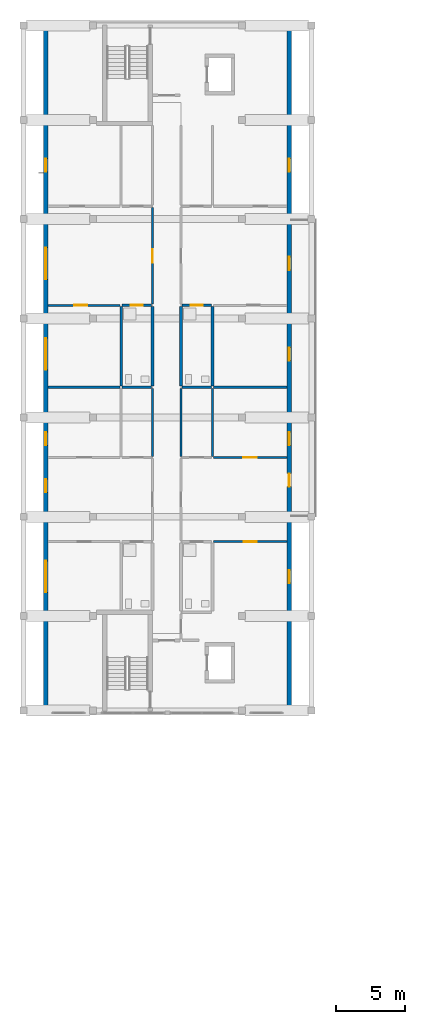
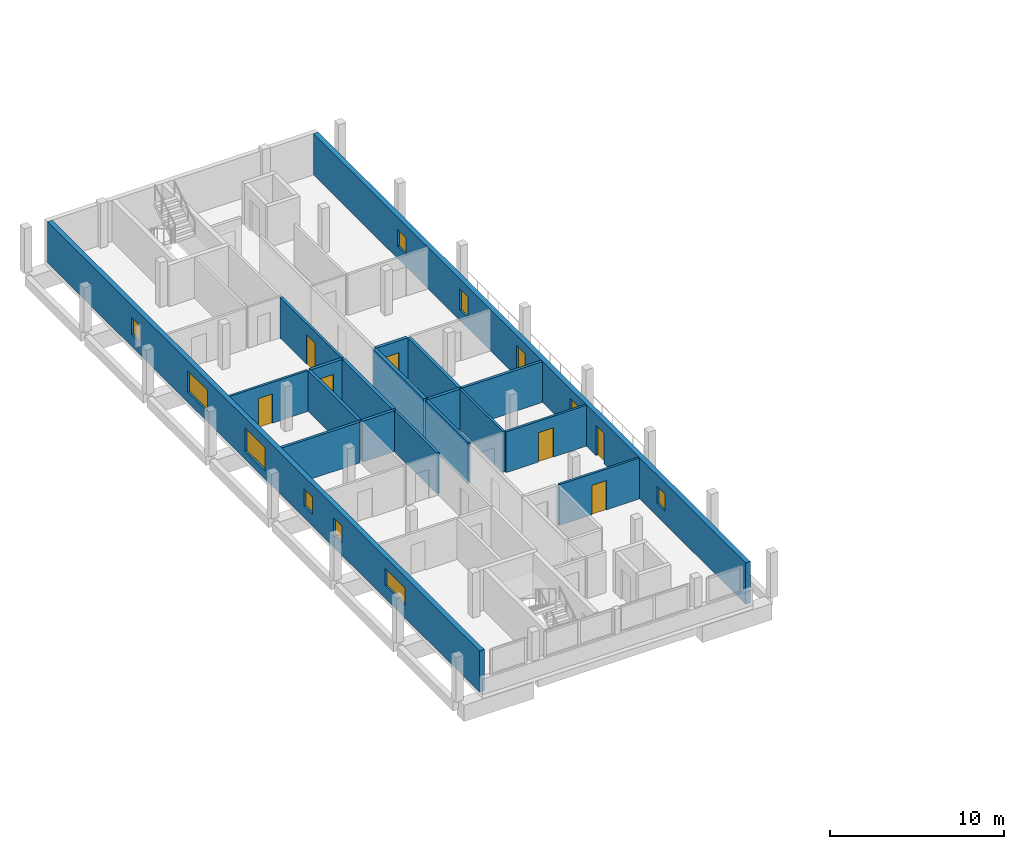
# One storey, part 13 of 29: 19 walls, 11 windows, 7 doors, 18 openings.
"""IFC4 building model written with IfcOpenShell, lengths in metres."""

from ifc_helpers import new_model, si_unit, derived_unit, direction, frame, frame_2d, origin, place, context, subcontext, project, spatial, rectangle, extrude, material, layer, layer_set, type_object, element, fill, save


model = new_model("IFC4")

# Units and contexts
model_context = context("Model", 3, precision=1e-05, world=origin(), true_north=direction((0.0, 1.0)))
body_context = subcontext(model_context, "Body", "Model", "MODEL_VIEW")
ifc_project = project(units=[si_unit("LENGTHUNIT", "METRE"), si_unit("AREAUNIT", "SQUARE_METRE"), si_unit("VOLUMEUNIT", "CUBIC_METRE"), si_unit("PLANEANGLEUNIT", "RADIAN"), si_unit("MASSUNIT", "GRAM", prefix="KILO"), derived_unit("THERMALTRANSMITTANCEUNIT", [(si_unit("MASSUNIT", "GRAM", prefix="KILO"), 1), (si_unit("TIMEUNIT", "SECOND"), -3), (si_unit("THERMODYNAMICTEMPERATUREUNIT", "KELVIN"), -1)])], contexts=[model_context])

# Site, building, storey
site_placement = place(None, origin())
site = spatial("IfcSite", under=ifc_project, at=site_placement, CompositionType="ELEMENT")
building_placement = place(site_placement, origin())
building = spatial("IfcBuilding", under=site, at=building_placement, Name="Ochrekiln Boulevard Commons", CompositionType="ELEMENT")
storey_placement = place(building_placement, frame((0.0, 0.0, 37.27490234375)))
storey = spatial("IfcBuildingStorey", under=building, at=storey_placement, Name="L11", CompositionType="ELEMENT", Elevation=37.27490234375)

# Wall, openings, windows
ifc_material_1 = material(Name="Desert ochre clinker brick masonry ASTM C216 Grade SW", Category="masonry")
ifc_layer_1 = layer(ifc_material_1, 0.320068359375)
ifc_layer_set_1 = layer_set([ifc_layer_1], Name="Desert ochre clinker brick masonry ASTM C216 Grade SW")
wall_type_1 = type_object("IfcWallType", Name="WL-EXT-OCHRE-320", PredefinedType="SOLIDWALL", material=ifc_layer_set_1)
wall_1_placement = place(storey_placement, frame((1.9599609375, 68.719970703125, 0.0), z_axis=(0.0, 0.0, 1.0), x_axis=(0.0, 1.0, 0.0)))
wall_1 = element("IfcWall", 1, at=wall_1_placement, inside=storey, type_object=wall_type_1, Name="Block A L11 W Exterior Wall", PredefinedType="SOLIDWALL", context=body_context, shape_type="SweptSolid", body=[
    extrude(rectangle(XDim=49.760009765625, YDim=0.320068359375, at=frame_2d((24.8798828125, 0.0))), origin(), (0.0, 0.0, 1.0), 2.900146484375),
])
opening_1_placement = place(wall_1_placement, frame((15.85498046875, 0.0, 0.85009765625)))
opening_1 = element("IfcOpeningElement", 2, at=opening_1_placement, cuts=wall_1, Name="Opening W-01", PredefinedType="OPENING", context=body_context, shape_type="SweptSolid", body=[
    extrude(rectangle(XDim=0.949951171875, YDim=1.199951171875, at=frame_2d((0.47509765625, 0.60009765625))), frame((0.0, 0.169921875, 0.0), z_axis=(0.0, -1.0, 0.0), x_axis=(1.0, 0.0, 0.0)), (0.0, 0.0, 1.0), 0.340087890625),
])
opening_2_placement = place(wall_1_placement, frame((8.5859375, 0.0, 0.89990234375)))
opening_2 = element("IfcOpeningElement", 3, at=opening_2_placement, cuts=wall_1, Name="Opening W-56", PredefinedType="OPENING", context=body_context, shape_type="SweptSolid", body=[
    extrude(rectangle(XDim=2.300048828125, YDim=1.199951171875, at=frame_2d((1.14990234375, 0.60009765625))), frame((0.0, 0.169921875, 0.0), z_axis=(0.0, -1.0, 0.0), x_axis=(1.0, 0.0, 0.0)), (0.0, 0.0, 1.0), 0.340087890625),
])
opening_3_placement = place(wall_1_placement, frame((19.264892578125, 0.0, 0.85009765625)))
opening_3 = element("IfcOpeningElement", 4, at=opening_3_placement, cuts=wall_1, Name="Opening W-01", PredefinedType="OPENING", context=body_context, shape_type="SweptSolid", body=[
    extrude(rectangle(XDim=0.949951171875, YDim=1.199951171875, at=frame_2d((0.47509765625, 0.60009765625))), frame((0.0, 0.169921875, 0.0), z_axis=(0.0, -1.0, 0.0), x_axis=(1.0, 0.0, 0.0)), (0.0, 0.0, 1.0), 0.340087890625),
])
opening_4_placement = place(wall_1_placement, frame((31.30908203125, 0.0, 0.715087890625)))
opening_4 = element("IfcOpeningElement", 5, at=opening_4_placement, cuts=wall_1, Name="Opening W-58", PredefinedType="OPENING", context=body_context, shape_type="SweptSolid", body=[
    extrude(rectangle(XDim=2.300048828125, YDim=1.5, at=frame_2d((1.14990234375, 0.75))), frame((0.0, 0.169921875, 0.0), z_axis=(0.0, -1.0, 0.0), x_axis=(1.0, 0.0, 0.0)), (0.0, 0.0, 1.0), 0.340087890625),
])
opening_5_placement = place(wall_1_placement, frame((24.736083984375, 0.0, 0.56494140625)))
opening_5 = element("IfcOpeningElement", 6, at=opening_5_placement, cuts=wall_1, Name="Opening W-59", PredefinedType="OPENING", context=body_context, shape_type="SweptSolid", body=[
    extrude(rectangle(XDim=2.300048828125, YDim=1.64990234375, at=frame_2d((1.14990234375, 0.824951171875))), frame((0.0, 0.169921875, 0.0), z_axis=(0.0, -1.0, 0.0), x_axis=(1.0, 0.0, 0.0)), (0.0, 0.0, 1.0), 0.340087890625),
])
opening_6_placement = place(wall_1_placement, frame((39.113037109375, 0.0, 0.85009765625)))
opening_6 = element("IfcOpeningElement", 7, at=opening_6_placement, cuts=wall_1, Name="Opening W-01", PredefinedType="OPENING", context=body_context, shape_type="SweptSolid", body=[
    extrude(rectangle(XDim=0.949951171875, YDim=1.199951171875, at=frame_2d((0.47509765625, 0.60009765625))), frame((0.0, 0.169921875, 0.0), z_axis=(0.0, -1.0, 0.0), x_axis=(1.0, 0.0, 0.0)), (0.0, 0.0, 1.0), 0.340087890625),
])
ifc_material_2 = material(Name="Thermally broken aluminium-clad oak frame", Category="aluminium")
window_type_1 = type_object("IfcWindowType", Name="WIN-EXT-01", PartitioningType="SINGLE_PANEL", PredefinedType="WINDOW", material=ifc_material_2)
window_1_placement = place(opening_1_placement, origin())
window_1 = element("IfcWindow", 8, at=window_1_placement, inside=storey, type_object=window_type_1, Name="Block A L11 Punched Masonry Window W-01", OverallHeight=1.199951171875, OverallWidth=0.949951171875, PartitioningType="SINGLE_PANEL", PredefinedType="WINDOW", context=body_context, shape_type="SweptSolid", body=[
    extrude(rectangle(XDim=0.949951171875, YDim=1.199951171875, at=frame_2d((0.47509765625, 0.60009765625))), frame((0.0, 0.030029296875, 0.0), z_axis=(0.0, -1.0, 0.0), x_axis=(1.0, 0.0, 0.0)), (0.0, 0.0, 1.0), 0.06005859375),
])
fill(opening_1, window_1)
window_2_placement = place(opening_3_placement, origin())
window_2 = element("IfcWindow", 9, at=window_2_placement, inside=storey, type_object=window_type_1, Name="Block A L11 Punched Masonry Window W-01", OverallHeight=1.199951171875, OverallWidth=0.949951171875, PartitioningType="SINGLE_PANEL", PredefinedType="WINDOW", context=body_context, shape_type="SweptSolid", body=[
    extrude(rectangle(XDim=0.949951171875, YDim=1.199951171875, at=frame_2d((0.47509765625, 0.60009765625))), frame((0.0, 0.030029296875, 0.0), z_axis=(0.0, -1.0, 0.0), x_axis=(1.0, 0.0, 0.0)), (0.0, 0.0, 1.0), 0.06005859375),
])
fill(opening_3, window_2)
window_3_placement = place(opening_6_placement, origin())
window_3 = element("IfcWindow", 10, at=window_3_placement, inside=storey, type_object=window_type_1, Name="Block A L11 Punched Masonry Window W-01", OverallHeight=1.199951171875, OverallWidth=0.949951171875, PartitioningType="SINGLE_PANEL", PredefinedType="WINDOW", context=body_context, shape_type="SweptSolid", body=[
    extrude(rectangle(XDim=0.949951171875, YDim=1.199951171875, at=frame_2d((0.47509765625, 0.60009765625))), frame((0.0, 0.030029296875, 0.0), z_axis=(0.0, -1.0, 0.0), x_axis=(1.0, 0.0, 0.0)), (0.0, 0.0, 1.0), 0.06005859375),
])
fill(opening_6, window_3)
window_type_2 = type_object("IfcWindowType", Name="WIN-EXT-56", PartitioningType="DOUBLE_PANEL_VERTICAL", PredefinedType="WINDOW", material=ifc_material_2)
window_4_placement = place(opening_2_placement, origin())
window_4 = element("IfcWindow", 11, at=window_4_placement, inside=storey, type_object=window_type_2, Name="Block A L11 Punched Masonry Window W-56", OverallHeight=1.199951171875, OverallWidth=2.300048828125, PartitioningType="DOUBLE_PANEL_VERTICAL", PredefinedType="WINDOW", context=body_context, shape_type="SweptSolid", body=[
    extrude(rectangle(XDim=2.300048828125, YDim=1.199951171875, at=frame_2d((1.14990234375, 0.60009765625))), frame((0.0, 0.030029296875, 0.0), z_axis=(0.0, -1.0, 0.0), x_axis=(1.0, 0.0, 0.0)), (0.0, 0.0, 1.0), 0.06005859375),
])
fill(opening_2, window_4)
window_type_3 = type_object("IfcWindowType", Name="WIN-EXT-58", PartitioningType="DOUBLE_PANEL_VERTICAL", PredefinedType="WINDOW", material=ifc_material_2)
window_5_placement = place(opening_4_placement, origin())
window_5 = element("IfcWindow", 12, at=window_5_placement, inside=storey, type_object=window_type_3, Name="Block A L11 Punched Masonry Window W-58", OverallHeight=1.5, OverallWidth=2.300048828125, PartitioningType="DOUBLE_PANEL_VERTICAL", PredefinedType="WINDOW", context=body_context, shape_type="SweptSolid", body=[
    extrude(rectangle(XDim=2.300048828125, YDim=1.5, at=frame_2d((1.14990234375, 0.75))), frame((0.0, 0.030029296875, 0.0), z_axis=(0.0, -1.0, 0.0), x_axis=(1.0, 0.0, 0.0)), (0.0, 0.0, 1.0), 0.06005859375),
])
fill(opening_4, window_5)
window_type_4 = type_object("IfcWindowType", Name="WIN-EXT-59", PartitioningType="DOUBLE_PANEL_VERTICAL", PredefinedType="WINDOW", material=ifc_material_2)
window_6_placement = place(opening_5_placement, origin())
window_6 = element("IfcWindow", 13, at=window_6_placement, inside=storey, type_object=window_type_4, Name="Block A L11 Punched Masonry Window W-59", OverallHeight=1.64990234375, OverallWidth=2.300048828125, PartitioningType="DOUBLE_PANEL_VERTICAL", PredefinedType="WINDOW", context=body_context, shape_type="SweptSolid", body=[
    extrude(rectangle(XDim=2.300048828125, YDim=1.64990234375, at=frame_2d((1.14990234375, 0.824951171875))), frame((0.0, 0.030029296875, 0.0), z_axis=(0.0, -1.0, 0.0), x_axis=(1.0, 0.0, 0.0)), (0.0, 0.0, 1.0), 0.06005859375),
])
fill(opening_5, window_6)

# Wall, openings, door, windows
wall_2_placement = place(storey_placement, frame((19.639892578125, 68.719970703125, 0.0), z_axis=(0.0, 0.0, 1.0), x_axis=(0.0, 1.0, 0.0)))
wall_2 = element("IfcWall", 14, at=wall_2_placement, inside=storey, type_object=wall_type_1, Name="Block A L11 E Exterior Wall", PredefinedType="SOLIDWALL", context=body_context, shape_type="SweptSolid", body=[
    extrude(rectangle(XDim=49.760009765625, YDim=0.320068359375, at=frame_2d((24.8798828125, 0.0))), origin(), (0.0, 0.0, 1.0), 2.900146484375),
])
opening_7_placement = place(wall_2_placement, frame((16.27001953125, 0.0, 0.0)))
opening_7 = element("IfcOpeningElement", 15, at=opening_7_placement, cuts=wall_2, Name="Opening D-L11-BL016", PredefinedType="OPENING", context=body_context, shape_type="SweptSolid", body=[
    extrude(rectangle(XDim=0.949951171875, YDim=2.14990234375, at=frame_2d((0.47509765625, 1.074951171875))), frame((0.0, 0.169921875, 0.0), z_axis=(0.0, -1.0, 0.0), x_axis=(1.0, 0.0, 0.0)), (0.0, 0.0, 1.0), 0.340087890625),
])
opening_8_placement = place(wall_2_placement, frame((9.260986328125, 0.0, 0.89990234375)))
opening_8 = element("IfcOpeningElement", 16, at=opening_8_placement, cuts=wall_2, Name="Opening W-01", PredefinedType="OPENING", context=body_context, shape_type="SweptSolid", body=[
    extrude(rectangle(XDim=0.949951171875, YDim=1.199951171875, at=frame_2d((0.47509765625, 0.60009765625))), frame((0.0, 0.169921875, 0.0), z_axis=(0.0, -1.0, 0.0), x_axis=(1.0, 0.0, 0.0)), (0.0, 0.0, 1.0), 0.340087890625),
])
opening_9_placement = place(wall_2_placement, frame((19.264892578125, 0.0, 0.864990234375)))
opening_9 = element("IfcOpeningElement", 17, at=opening_9_placement, cuts=wall_2, Name="Opening W-02", PredefinedType="OPENING", context=body_context, shape_type="SweptSolid", body=[
    extrude(rectangle(XDim=0.949951171875, YDim=1.35009765625, at=frame_2d((0.47509765625, 0.675048828125))), frame((0.0, 0.169921875, 0.0), z_axis=(0.0, -1.0, 0.0), x_axis=(1.0, 0.0, 0.0)), (0.0, 0.0, 1.0), 0.340087890625),
])
opening_10_placement = place(wall_2_placement, frame((31.98388671875, 0.0, 0.715087890625)))
opening_10 = element("IfcOpeningElement", 18, at=opening_10_placement, cuts=wall_2, Name="Opening W-03", PredefinedType="OPENING", context=body_context, shape_type="SweptSolid", body=[
    extrude(rectangle(XDim=0.949951171875, YDim=1.5, at=frame_2d((0.47509765625, 0.75))), frame((0.0, 0.169921875, 0.0), z_axis=(0.0, -1.0, 0.0), x_axis=(1.0, 0.0, 0.0)), (0.0, 0.0, 1.0), 0.340087890625),
])
opening_11_placement = place(wall_2_placement, frame((25.410888671875, 0.0, 0.56494140625)))
opening_11 = element("IfcOpeningElement", 19, at=opening_11_placement, cuts=wall_2, Name="Opening W-04", PredefinedType="OPENING", context=body_context, shape_type="SweptSolid", body=[
    extrude(rectangle(XDim=0.949951171875, YDim=1.64990234375, at=frame_2d((0.47509765625, 0.824951171875))), frame((0.0, 0.169921875, 0.0), z_axis=(0.0, -1.0, 0.0), x_axis=(1.0, 0.0, 0.0)), (0.0, 0.0, 1.0), 0.340087890625),
])
opening_12_placement = place(wall_2_placement, frame((39.113037109375, 0.0, 0.85009765625)))
opening_12 = element("IfcOpeningElement", 20, at=opening_12_placement, cuts=wall_2, Name="Opening W-01", PredefinedType="OPENING", context=body_context, shape_type="SweptSolid", body=[
    extrude(rectangle(XDim=0.949951171875, YDim=1.199951171875, at=frame_2d((0.47509765625, 0.60009765625))), frame((0.0, 0.169921875, 0.0), z_axis=(0.0, -1.0, 0.0), x_axis=(1.0, 0.0, 0.0)), (0.0, 0.0, 1.0), 0.340087890625),
])
door_type_1 = type_object("IfcDoorType", Name="DR-EXT-BAL-095", OperationType="NOTDEFINED", PredefinedType="DOOR", material=ifc_material_2)
door_1_placement = place(opening_7_placement, frame((0.949951171875, 0.0, 0.0), z_axis=(0.0, 0.0, 1.0), x_axis=(-1.0, 0.0, 0.0)))
door_1 = element("IfcDoor", 21, at=door_1_placement, inside=storey, type_object=door_type_1, Name="Block A L11 Glazed Balcony Patio Door", OperationType="SINGLE_SWING_LEFT", OverallHeight=2.14990234375, OverallWidth=0.949951171875, PredefinedType="DOOR", context=body_context, shape_type="SweptSolid", body=[
    extrude(rectangle(XDim=0.949951171875, YDim=2.14990234375, at=frame_2d((0.47509765625, 1.074951171875))), frame((0.0, 0.02490234375, 0.0), z_axis=(0.0, -1.0, 0.0), x_axis=(1.0, 0.0, 0.0)), (0.0, 0.0, 1.0), 0.050048828125),
])
fill(opening_7, door_1)
window_7_placement = place(opening_8_placement, origin())
window_7 = element("IfcWindow", 22, at=window_7_placement, inside=storey, type_object=window_type_1, Name="Block A L11 Punched Masonry Window W-01", OverallHeight=1.199951171875, OverallWidth=0.949951171875, PartitioningType="SINGLE_PANEL", PredefinedType="WINDOW", context=body_context, shape_type="SweptSolid", body=[
    extrude(rectangle(XDim=0.949951171875, YDim=1.199951171875, at=frame_2d((0.47509765625, 0.60009765625))), frame((0.0, 0.030029296875, 0.0), z_axis=(0.0, -1.0, 0.0), x_axis=(1.0, 0.0, 0.0)), (0.0, 0.0, 1.0), 0.06005859375),
])
fill(opening_8, window_7)
window_8_placement = place(opening_12_placement, origin())
window_8 = element("IfcWindow", 23, at=window_8_placement, inside=storey, type_object=window_type_1, Name="Block A L11 Punched Masonry Window W-01", OverallHeight=1.199951171875, OverallWidth=0.949951171875, PartitioningType="SINGLE_PANEL", PredefinedType="WINDOW", context=body_context, shape_type="SweptSolid", body=[
    extrude(rectangle(XDim=0.949951171875, YDim=1.199951171875, at=frame_2d((0.47509765625, 0.60009765625))), frame((0.0, 0.030029296875, 0.0), z_axis=(0.0, -1.0, 0.0), x_axis=(1.0, 0.0, 0.0)), (0.0, 0.0, 1.0), 0.06005859375),
])
fill(opening_12, window_8)
window_type_5 = type_object("IfcWindowType", Name="WIN-EXT-02", PartitioningType="SINGLE_PANEL", PredefinedType="WINDOW", material=ifc_material_2)
window_9_placement = place(opening_9_placement, origin())
window_9 = element("IfcWindow", 24, at=window_9_placement, inside=storey, type_object=window_type_5, Name="Block A L11 Punched Masonry Window W-02", OverallHeight=1.35009765625, OverallWidth=0.949951171875, PartitioningType="SINGLE_PANEL", PredefinedType="WINDOW", context=body_context, shape_type="SweptSolid", body=[
    extrude(rectangle(XDim=0.949951171875, YDim=1.35009765625, at=frame_2d((0.47509765625, 0.675048828125))), frame((0.0, 0.030029296875, 0.0), z_axis=(0.0, -1.0, 0.0), x_axis=(1.0, 0.0, 0.0)), (0.0, 0.0, 1.0), 0.06005859375),
])
fill(opening_9, window_9)
window_type_6 = type_object("IfcWindowType", Name="WIN-EXT-03", PartitioningType="SINGLE_PANEL", PredefinedType="WINDOW", material=ifc_material_2)
window_10_placement = place(opening_10_placement, origin())
window_10 = element("IfcWindow", 25, at=window_10_placement, inside=storey, type_object=window_type_6, Name="Block A L11 Punched Masonry Window W-03", OverallHeight=1.5, OverallWidth=0.949951171875, PartitioningType="SINGLE_PANEL", PredefinedType="WINDOW", context=body_context, shape_type="SweptSolid", body=[
    extrude(rectangle(XDim=0.949951171875, YDim=1.5, at=frame_2d((0.47509765625, 0.75))), frame((0.0, 0.030029296875, 0.0), z_axis=(0.0, -1.0, 0.0), x_axis=(1.0, 0.0, 0.0)), (0.0, 0.0, 1.0), 0.06005859375),
])
fill(opening_10, window_10)
window_type_7 = type_object("IfcWindowType", Name="WIN-EXT-04", PartitioningType="SINGLE_PANEL", PredefinedType="WINDOW", material=ifc_material_2)
window_11_placement = place(opening_11_placement, origin())
window_11 = element("IfcWindow", 26, at=window_11_placement, inside=storey, type_object=window_type_7, Name="Block A L11 Punched Masonry Window W-04", OverallHeight=1.64990234375, OverallWidth=0.949951171875, PartitioningType="SINGLE_PANEL", PredefinedType="WINDOW", context=body_context, shape_type="SweptSolid", body=[
    extrude(rectangle(XDim=0.949951171875, YDim=1.64990234375, at=frame_2d((0.47509765625, 0.824951171875))), frame((0.0, 0.030029296875, 0.0), z_axis=(0.0, -1.0, 0.0), x_axis=(1.0, 0.0, 0.0)), (0.0, 0.0, 1.0), 0.06005859375),
])
fill(opening_11, window_11)

# Wall
ifc_material_3 = material(Name="Moisture-resistant cementitious tile backer wall")
ifc_layer_2 = layer(ifc_material_3, 0.199951171875)
ifc_layer_set_2 = layer_set([ifc_layer_2], Name="Moisture-resistant cementitious tile backer wall")
wall_type_2 = type_object("IfcWallType", Name="WL-PLM-200", PredefinedType="PLUMBINGWALL", material=ifc_layer_set_2)
wall_3_placement = place(storey_placement, frame((7.52001953125, 92.19189453125, 0.0), z_axis=(0.0, 0.0, 1.0), x_axis=(1.0, 0.0, 0.0)))
element("IfcWall", 27, at=wall_3_placement, inside=storey, type_object=wall_type_2, Name="L11 Interior Wall W-PW200", PredefinedType="PLUMBINGWALL", context=body_context, shape_type="SweptSolid", body=[
    extrude(rectangle(XDim=2.10791015625, YDim=0.199951171875, at=frame_2d((1.053955078125, 0.0))), origin(), (0.0, 0.0, 1.0), 2.8701171875),
])

# Wall, opening, door
wall_4_placement = place(storey_placement, frame((7.52001953125, 98.14697265625, 0.0), z_axis=(0.0, 0.0, 1.0), x_axis=(1.0, 0.0, 0.0)))
wall_4 = element("IfcWall", 28, at=wall_4_placement, inside=storey, type_object=wall_type_2, Name="L11 Interior Wall W-PW200", PredefinedType="PLUMBINGWALL", context=body_context, shape_type="SweptSolid", body=[
    extrude(rectangle(XDim=2.10791015625, YDim=0.199951171875, at=frame_2d((1.053955078125, 0.0))), origin(), (0.0, 0.0, 1.0), 2.8701171875),
])
opening_13_placement = place(wall_4_placement, frame((0.60498046875, 0.0, 0.0)))
opening_13 = element("IfcOpeningElement", 29, at=opening_13_placement, cuts=wall_4, Name="Opening D-L11-1250", PredefinedType="OPENING", context=body_context, shape_type="SweptSolid", body=[
    extrude(rectangle(XDim=0.889892578125, YDim=2.030029296875, at=frame_2d((0.44482421875, 1.01513671875))), frame((0.0, 0.10986328125, 0.0), z_axis=(0.0, -1.0, 0.0), x_axis=(1.0, 0.0, 0.0)), (0.0, 0.0, 1.0), 0.219970703125),
])
ifc_material_4 = material(Name="Solid core architectural oak door leaf")
door_type_2 = type_object("IfcDoorType", Name="DR-INT-BTH-089", OperationType="NOTDEFINED", PredefinedType="DOOR", material=ifc_material_4)
door_2_placement = place(opening_13_placement, frame((0.889892578125, 0.0, 0.0), z_axis=(0.0, 0.0, 1.0), x_axis=(-1.0, 0.0, 0.0)))
door_2 = element("IfcDoor", 30, at=door_2_placement, inside=storey, type_object=door_type_2, Name="L11 Interior Door to Apartment Bathroom", OperationType="SINGLE_SWING_RIGHT", OverallHeight=2.030029296875, OverallWidth=0.889892578125, PredefinedType="DOOR", context=body_context, shape_type="SweptSolid", body=[
    extrude(rectangle(XDim=0.889892578125, YDim=2.030029296875, at=frame_2d((0.44482421875, 1.01513671875))), frame((0.0, 0.02490234375, 0.0), z_axis=(0.0, -1.0, 0.0), x_axis=(1.0, 0.0, 0.0)), (0.0, 0.0, 1.0), 0.050048828125),
])
fill(opening_13, door_2)

# Walls
wall_5_placement = place(storey_placement, frame((7.43994140625, 92.281982421875, 0.0), z_axis=(0.0, 0.0, 1.0), x_axis=(0.0, 1.0, 0.0)))
element("IfcWall", 31, at=wall_5_placement, inside=storey, type_object=wall_type_2, Name="L11 Interior Wall W-PW200", PredefinedType="PLUMBINGWALL", context=body_context, shape_type="SweptSolid", body=[
    extrude(rectangle(XDim=5.7900390625, YDim=0.199951171875, at=frame_2d((2.89501953125, 0.0))), origin(), (0.0, 0.0, 1.0), 2.8701171875),
])
wall_6_placement = place(storey_placement, frame((11.8720703125, 92.19189453125, 0.0), z_axis=(0.0, 0.0, 1.0), x_axis=(1.0, 0.0, 0.0)))
element("IfcWall", 32, at=wall_6_placement, inside=storey, type_object=wall_type_2, Name="L11 Interior Wall W-PW200", PredefinedType="PLUMBINGWALL", context=body_context, shape_type="SweptSolid", body=[
    extrude(rectangle(XDim=2.113037109375, YDim=0.199951171875, at=frame_2d((1.056640625, 0.0))), origin(), (0.0, 0.0, 1.0), 2.8701171875),
])

# Wall, opening, door
wall_7_placement = place(storey_placement, frame((11.8720703125, 98.14697265625, 0.0), z_axis=(0.0, 0.0, 1.0), x_axis=(1.0, 0.0, 0.0)))
wall_7 = element("IfcWall", 33, at=wall_7_placement, inside=storey, type_object=wall_type_2, Name="L11 Interior Wall W-PW200", PredefinedType="PLUMBINGWALL", context=body_context, shape_type="SweptSolid", body=[
    extrude(rectangle(XDim=2.10791015625, YDim=0.199951171875, at=frame_2d((1.053955078125, 0.0))), origin(), (0.0, 0.0, 1.0), 2.8701171875),
])
opening_14_placement = place(wall_7_placement, frame((0.613037109375, 0.0, 0.0)))
opening_14 = element("IfcOpeningElement", 34, at=opening_14_placement, cuts=wall_7, Name="Opening D-L11-1258", PredefinedType="OPENING", context=body_context, shape_type="SweptSolid", body=[
    extrude(rectangle(XDim=0.889892578125, YDim=2.030029296875, at=frame_2d((0.44482421875, 1.01513671875))), frame((0.0, 0.10986328125, 0.0), z_axis=(0.0, -1.0, 0.0), x_axis=(1.0, 0.0, 0.0)), (0.0, 0.0, 1.0), 0.219970703125),
])
door_3_placement = place(opening_14_placement, frame((0.889892578125, 0.0, 0.0), z_axis=(0.0, 0.0, 1.0), x_axis=(-1.0, 0.0, 0.0)))
door_3 = element("IfcDoor", 35, at=door_3_placement, inside=storey, type_object=door_type_2, Name="L11 Interior Door to Apartment Bathroom", OperationType="SINGLE_SWING_RIGHT", OverallHeight=2.030029296875, OverallWidth=0.889892578125, PredefinedType="DOOR", context=body_context, shape_type="SweptSolid", body=[
    extrude(rectangle(XDim=0.889892578125, YDim=2.030029296875, at=frame_2d((0.44482421875, 1.01513671875))), frame((0.0, 0.02490234375, 0.0), z_axis=(0.0, -1.0, 0.0), x_axis=(1.0, 0.0, 0.0)), (0.0, 0.0, 1.0), 0.050048828125),
])
fill(opening_14, door_3)

# Walls
wall_8_placement = place(storey_placement, frame((14.06005859375, 92.281982421875, 0.0), z_axis=(0.0, 0.0, 1.0), x_axis=(0.0, 1.0, 0.0)))
element("IfcWall", 36, at=wall_8_placement, inside=storey, type_object=wall_type_2, Name="L11 Interior Wall W-PW200", PredefinedType="PLUMBINGWALL", context=body_context, shape_type="SweptSolid", body=[
    extrude(rectangle(XDim=5.7900390625, YDim=0.199951171875, at=frame_2d((2.89501953125, 0.0))), origin(), (0.0, 0.0, 1.0), 2.8701171875),
])
ifc_layer_3 = layer(ifc_material_3, 0.219970703125)
ifc_layer_set_3 = layer_set([ifc_layer_3], Name="Moisture-resistant cementitious tile backer wall")
wall_type_3 = type_object("IfcWallType", Name="WL-PLM-220", PredefinedType="PLUMBINGWALL", material=ifc_layer_set_3)
for number, where, z_axis, x_axis, name in (
    (37, (9.7099609375, 92.281982421875, 0.0), (0.0, 0.0, 1.0), (0.0, 1.0, 0.0), "L11 Interior Wall W-PW220"),
    (38, (11.7900390625, 92.281982421875, 0.0), (0.0, 0.0, 1.0), (0.0, 1.0, 0.0), "L11 Interior Wall W-PW220"),
):
    element("IfcWall", number, at=place(storey_placement, frame(where, z_axis=z_axis, x_axis=x_axis)), inside=storey, type_object=wall_type_3, Name=name, PredefinedType="PLUMBINGWALL", context=body_context, shape_type="SweptSolid", body=[
        extrude(rectangle(XDim=5.784912109375, YDim=0.219970703125, at=frame_2d((2.892578125, 0.0))), origin(), (0.0, 0.0, 1.0), 2.8701171875),
    ])
ifc_material_5 = material(Name="Fire-rated Type X gypsum board on steel studs", Category="steel")
ifc_layer_4 = layer(ifc_material_5, 0.1650390625)
ifc_layer_set_4 = layer_set([ifc_layer_4], Name="Fire-rated Type X gypsum board on steel studs")
wall_type_4 = type_object("IfcWallType", Name="WL-PT-CORR-165", PredefinedType="PARTITIONING", material=ifc_layer_set_4)
wall_9_placement = place(storey_placement, frame((9.7099609375, 87.18994140625, 0.0), z_axis=(0.0, 0.0, 1.0), x_axis=(0.0, 1.0, 0.0)))
element("IfcWall", 39, at=wall_9_placement, inside=storey, type_object=wall_type_4, Name="L11 Interior Wall W-PC165", PredefinedType="PARTITIONING", context=body_context, shape_type="SweptSolid", body=[
    extrude(rectangle(XDim=4.912109375, YDim=0.1650390625, at=frame_2d((2.4560546875, 0.0))), origin(), (0.0, 0.0, 1.0), 2.8701171875),
])

# Wall, opening, door
wall_10_placement = place(storey_placement, frame((9.7099609375, 98.22705078125, 0.0), z_axis=(0.0, 0.0, 1.0), x_axis=(0.0, 1.0, 0.0)))
wall_10 = element("IfcWall", 40, at=wall_10_placement, inside=storey, type_object=wall_type_4, Name="L11 Interior Wall W-PC165", PredefinedType="PARTITIONING", context=body_context, shape_type="SweptSolid", body=[
    extrude(rectangle(XDim=7.02783203125, YDim=0.1650390625, at=frame_2d((3.513916015625, 0.0))), origin(), (0.0, 0.0, 1.0), 2.8701171875),
])
opening_15_placement = place(wall_10_placement, frame((3.02392578125, 0.0, 0.0)))
opening_15 = element("IfcOpeningElement", 41, at=opening_15_placement, cuts=wall_10, Name="Opening D-L11-1243", PredefinedType="OPENING", context=body_context, shape_type="SweptSolid", body=[
    extrude(rectangle(XDim=0.97998046875, YDim=2.080078125, at=frame_2d((0.489990234375, 1.0400390625))), frame((0.0, 0.092529296875, 0.0), z_axis=(0.0, -1.0, 0.0), x_axis=(1.0, 0.0, 0.0)), (0.0, 0.0, 1.0), 0.18505859375),
])
door_type_3 = type_object("IfcDoorType", Name="DR-APT-60", OperationType="NOTDEFINED", PredefinedType="DOOR", material=ifc_material_4)
door_4_placement = place(opening_15_placement, origin())
door_4 = element("IfcDoor", 42, at=door_4_placement, inside=storey, type_object=door_type_3, Name="L11 Interior Door to Two-Bedroom Apartment Living Room", OperationType="SINGLE_SWING_LEFT", OverallHeight=2.080078125, OverallWidth=0.97998046875, PredefinedType="DOOR", context=body_context, shape_type="SweptSolid", body=[
    extrude(rectangle(XDim=0.97998046875, YDim=2.080078125, at=frame_2d((0.489990234375, 1.0400390625))), frame((0.0, 0.02490234375, 0.0), z_axis=(0.0, -1.0, 0.0), x_axis=(1.0, 0.0, 0.0)), (0.0, 0.0, 1.0), 0.050048828125),
])
fill(opening_15, door_4)

# Walls
wall_11_placement = place(storey_placement, frame((11.7900390625, 87.18994140625, 0.0), z_axis=(0.0, 0.0, 1.0), x_axis=(0.0, 1.0, 0.0)))
element("IfcWall", 43, at=wall_11_placement, inside=storey, type_object=wall_type_4, Name="L11 Interior Wall W-PC165", PredefinedType="PARTITIONING", context=body_context, shape_type="SweptSolid", body=[
    extrude(rectangle(XDim=4.912109375, YDim=0.1650390625, at=frame_2d((2.4560546875, 0.0))), origin(), (0.0, 0.0, 1.0), 2.8701171875),
])
ifc_layer_5 = layer(ifc_material_5, 0.179931640625)
ifc_layer_set_5 = layer_set([ifc_layer_5], Name="Fire-rated Type X gypsum board on steel studs")
wall_type_5 = type_object("IfcWallType", Name="WL-PT-DEM-180", PredefinedType="PARTITIONING", material=ifc_layer_set_5)
wall_12_placement = place(storey_placement, frame((2.1201171875, 92.19189453125, 0.0), z_axis=(0.0, 0.0, 1.0), x_axis=(1.0, 0.0, 0.0)))
element("IfcWall", 44, at=wall_12_placement, inside=storey, type_object=wall_type_5, Name="L11 Interior Wall W-PD180", PredefinedType="PARTITIONING", context=body_context, shape_type="SweptSolid", body=[
    extrude(rectangle(XDim=5.239990234375, YDim=0.179931640625, at=frame_2d((2.6201171875, 0.0))), origin(), (0.0, 0.0, 1.0), 2.8701171875),
])
wall_13_placement = place(storey_placement, frame((14.135009765625, 92.19189453125, 0.0), z_axis=(0.0, 0.0, 1.0), x_axis=(1.0, 0.0, 0.0)))
element("IfcWall", 45, at=wall_13_placement, inside=storey, type_object=wall_type_5, Name="L11 Interior Wall W-PD180", PredefinedType="PARTITIONING", context=body_context, shape_type="SweptSolid", body=[
    extrude(rectangle(XDim=5.344970703125, YDim=0.179931640625, at=frame_2d((2.67236328125, 0.0))), origin(), (0.0, 0.0, 1.0), 2.8701171875),
])

# Wall, opening, door
ifc_layer_6 = layer(ifc_material_5, 0.14990234375)
ifc_layer_set_6 = layer_set([ifc_layer_6], Name="Fire-rated Type X gypsum board on steel studs")
wall_type_6 = type_object("IfcWallType", Name="WL-PT-STD-150", PredefinedType="PARTITIONING", material=ifc_layer_set_6)
wall_14_placement = place(storey_placement, frame((2.1201171875, 98.14697265625, 0.0), z_axis=(0.0, 0.0, 1.0), x_axis=(1.0, 0.0, 0.0)))
wall_14 = element("IfcWall", 46, at=wall_14_placement, inside=storey, type_object=wall_type_6, Name="L11 Interior Wall W-PS150", PredefinedType="PARTITIONING", context=body_context, shape_type="SweptSolid", body=[
    extrude(rectangle(XDim=5.239990234375, YDim=0.14990234375, at=frame_2d((2.6201171875, 0.0))), origin(), (0.0, 0.0, 1.0), 2.8701171875),
])
opening_16_placement = place(wall_14_placement, frame((1.9150390625, 0.0, 0.0)))
opening_16 = element("IfcOpeningElement", 47, at=opening_16_placement, cuts=wall_14, Name="Opening D-L11-1252", PredefinedType="OPENING", context=body_context, shape_type="SweptSolid", body=[
    extrude(rectangle(XDim=0.93994140625, YDim=2.06005859375, at=frame_2d((0.469970703125, 1.030029296875))), frame((0.0, 0.0849609375, 0.0), z_axis=(0.0, -1.0, 0.0), x_axis=(1.0, 0.0, 0.0)), (0.0, 0.0, 1.0), 0.169921875),
])
door_type_4 = type_object("IfcDoorType", Name="DR-INT-BED-094", OperationType="NOTDEFINED", PredefinedType="DOOR", material=ifc_material_4)
door_5_placement = place(opening_16_placement, frame((0.93994140625, 0.0, 0.0), z_axis=(0.0, 0.0, 1.0), x_axis=(-1.0, 0.0, 0.0)))
door_5 = element("IfcDoor", 48, at=door_5_placement, inside=storey, type_object=door_type_4, Name="L11 Interior Door to Primary Apartment Bedroom", OperationType="SINGLE_SWING_RIGHT", OverallHeight=2.06005859375, OverallWidth=0.93994140625, PredefinedType="DOOR", context=body_context, shape_type="SweptSolid", body=[
    extrude(rectangle(XDim=0.93994140625, YDim=2.06005859375, at=frame_2d((0.469970703125, 1.030029296875))), frame((0.0, 0.02490234375, 0.0), z_axis=(0.0, -1.0, 0.0), x_axis=(1.0, 0.0, 0.0)), (0.0, 0.0, 1.0), 0.050048828125),
])
fill(opening_16, door_5)

wall_15_placement = place(storey_placement, frame((14.139892578125, 80.991943359375, 0.0), z_axis=(0.0, 0.0, 1.0), x_axis=(1.0, 0.0, 0.0)))
wall_15 = element("IfcWall", 49, at=wall_15_placement, inside=storey, type_object=wall_type_6, Name="L11 Interior Wall W-PS150", PredefinedType="PARTITIONING", context=body_context, shape_type="SweptSolid", body=[
    extrude(rectangle(XDim=5.340087890625, YDim=0.14990234375, at=frame_2d((2.669921875, 0.0))), origin(), (0.0, 0.0, 1.0), 2.8701171875),
])
opening_17_placement = place(wall_15_placement, frame((2.18505859375, 0.0, 0.0)))
opening_17 = element("IfcOpeningElement", 50, at=opening_17_placement, cuts=wall_15, Name="Opening D-L11-1256", PredefinedType="OPENING", context=body_context, shape_type="SweptSolid", body=[
    extrude(rectangle(XDim=0.93994140625, YDim=2.06005859375, at=frame_2d((0.469970703125, 1.030029296875))), frame((0.0, 0.0849609375, 0.0), z_axis=(0.0, -1.0, 0.0), x_axis=(1.0, 0.0, 0.0)), (0.0, 0.0, 1.0), 0.169921875),
])
door_6_placement = place(opening_17_placement, frame((0.93994140625, 0.0, 0.0), z_axis=(0.0, 0.0, 1.0), x_axis=(-1.0, 0.0, 0.0)))
door_6 = element("IfcDoor", 51, at=door_6_placement, inside=storey, type_object=door_type_4, Name="L11 Interior Door to Primary Apartment Bedroom", OperationType="SINGLE_SWING_RIGHT", OverallHeight=2.06005859375, OverallWidth=0.93994140625, PredefinedType="DOOR", context=body_context, shape_type="SweptSolid", body=[
    extrude(rectangle(XDim=0.93994140625, YDim=2.06005859375, at=frame_2d((0.469970703125, 1.030029296875))), frame((0.0, 0.02490234375, 0.0), z_axis=(0.0, -1.0, 0.0), x_axis=(1.0, 0.0, 0.0)), (0.0, 0.0, 1.0), 0.050048828125),
])
fill(opening_17, door_6)

wall_16_placement = place(storey_placement, frame((14.139892578125, 87.110107421875, 0.0), z_axis=(0.0, 0.0, 1.0), x_axis=(1.0, 0.0, 0.0)))
wall_16 = element("IfcWall", 52, at=wall_16_placement, inside=storey, type_object=wall_type_6, Name="L11 Interior Wall W-PS150", PredefinedType="PARTITIONING", context=body_context, shape_type="SweptSolid", body=[
    extrude(rectangle(XDim=5.340087890625, YDim=0.14990234375, at=frame_2d((2.669921875, 0.0))), origin(), (0.0, 0.0, 1.0), 2.8701171875),
])
opening_18_placement = place(wall_16_placement, frame((2.155029296875, 0.0, 0.0)))
opening_18 = element("IfcOpeningElement", 53, at=opening_18_placement, cuts=wall_16, Name="Opening D-L11-1257", PredefinedType="OPENING", context=body_context, shape_type="SweptSolid", body=[
    extrude(rectangle(XDim=1.0, YDim=2.06005859375, at=frame_2d((0.5, 1.030029296875))), frame((0.0, 0.0849609375, 0.0), z_axis=(0.0, -1.0, 0.0), x_axis=(1.0, 0.0, 0.0)), (0.0, 0.0, 1.0), 0.169921875),
])
door_type_5 = type_object("IfcDoorType", Name="DR-INT-BED-100", OperationType="NOTDEFINED", PredefinedType="DOOR", material=ifc_material_4)
door_7_placement = place(opening_18_placement, origin())
door_7 = element("IfcDoor", 54, at=door_7_placement, inside=storey, type_object=door_type_5, Name="L11 Interior Door to Secondary Apartment Bedroom", OperationType="SINGLE_SWING_LEFT", OverallHeight=2.06005859375, OverallWidth=1.0, PredefinedType="DOOR", context=body_context, shape_type="SweptSolid", body=[
    extrude(rectangle(XDim=1.0, YDim=2.06005859375, at=frame_2d((0.5, 1.030029296875))), frame((0.0, 0.02490234375, 0.0), z_axis=(0.0, -1.0, 0.0), x_axis=(1.0, 0.0, 0.0)), (0.0, 0.0, 1.0), 0.050048828125),
])
fill(opening_18, door_7)

# Wall
wall_17_placement = place(storey_placement, frame((14.06005859375, 87.169921875, 0.0), z_axis=(0.0, 0.0, 1.0), x_axis=(0.0, 1.0, 0.0)))
element("IfcWall", 55, at=wall_17_placement, inside=storey, type_object=wall_type_6, Name="L11 Interior Wall W-PS150", PredefinedType="PARTITIONING", context=body_context, shape_type="SweptSolid", body=[
    extrude(rectangle(XDim=4.93212890625, YDim=0.14990234375, at=frame_2d((2.466064453125, 0.0))), origin(), (0.0, 0.0, 1.0), 2.8701171875),
])

save(model, "model.ifc")
